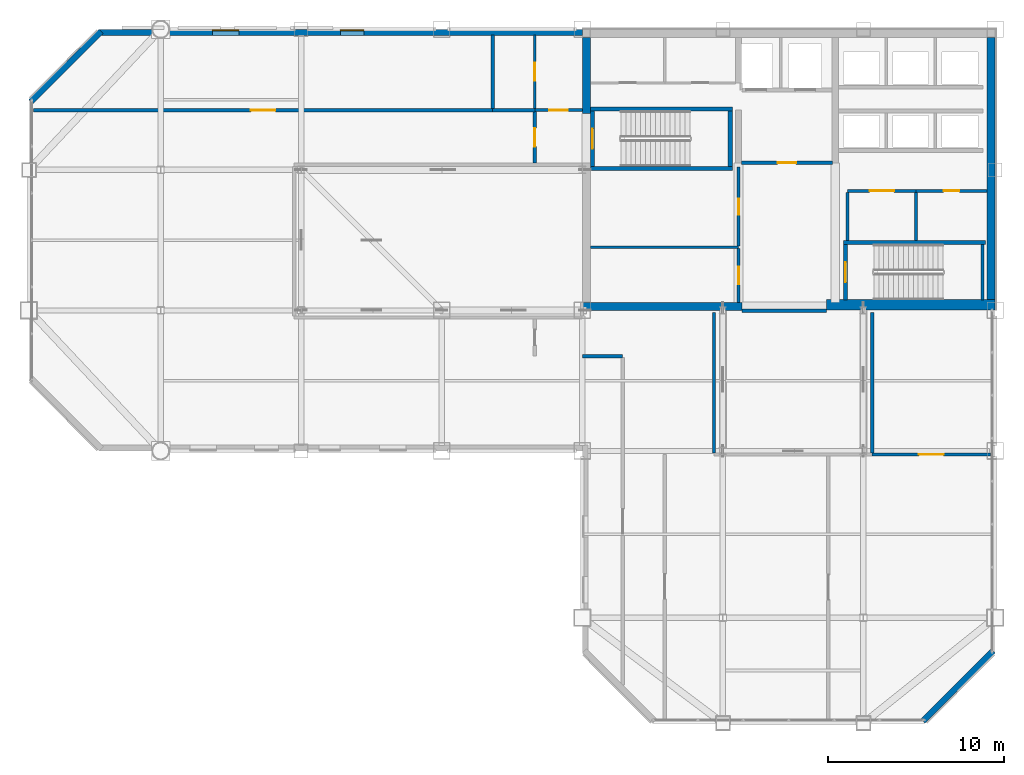
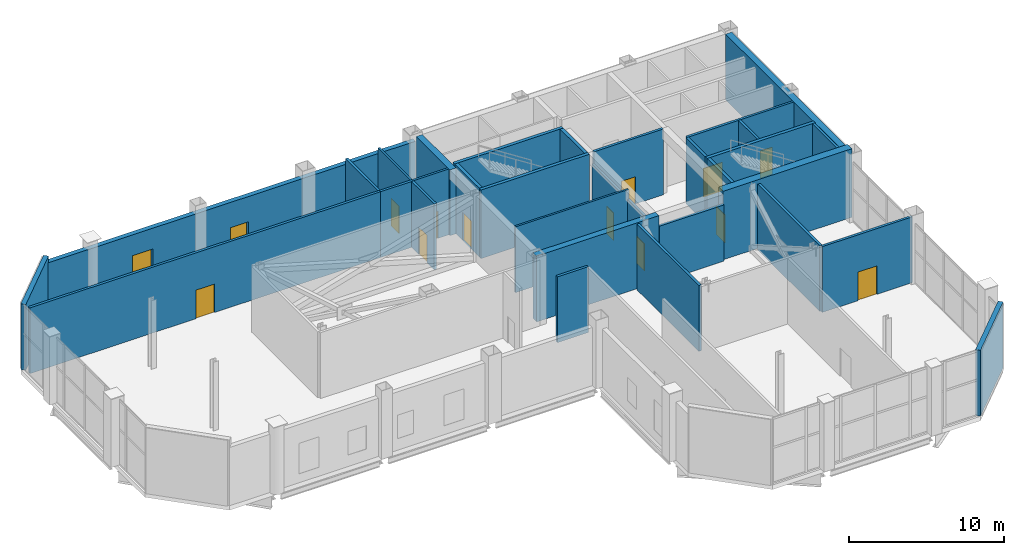
# One storey, part 18 of 23: 33 walls, 12 doors, 2 windows, 14 openings.
"""IFC4 building model written with IfcOpenShell, lengths in metres."""

from ifc_helpers import new_model, si_unit, direction, frame, frame_2d, origin, place, context, subcontext, project, spatial, rectangle, extrude, material, layer, layer_set, type_object, element, fill, save


model = new_model("IFC4")

# Units and contexts
model_context = context("Model", 3, precision=1e-05, world=origin(), true_north=direction((0.0, 1.0)))
body_context = subcontext(model_context, "Body", "Model", "MODEL_VIEW")
ifc_project = project(units=[si_unit("LENGTHUNIT", "METRE"), si_unit("AREAUNIT", "SQUARE_METRE"), si_unit("VOLUMEUNIT", "CUBIC_METRE"), si_unit("PLANEANGLEUNIT", "RADIAN"), si_unit("MASSUNIT", "GRAM", prefix="KILO")], contexts=[model_context])

# Site, building, storey
site_placement = place(None, origin())
site = spatial("IfcSite", under=ifc_project, at=site_placement, CompositionType="ELEMENT")
building_placement = place(site_placement, origin())
building = spatial("IfcBuilding", under=site, at=building_placement, Name="Qianrong Seaharbour Tower", CompositionType="ELEMENT")
storey_placement = place(building_placement, frame((0.0, 0.0, 281.800048828125)))
storey = spatial("IfcBuildingStorey", under=building, at=storey_placement, Name="L68", CompositionType="ELEMENT", Elevation=281.800048828125)

# Walls
ifc_material_1 = material(Name="Concrete C60/75", Category="concrete")
ifc_layer_1 = layer(ifc_material_1, 0.4599609375)
ifc_layer_set_1 = layer_set([ifc_layer_1], Name="Concrete C60/75")
wall_type_1 = type_object("IfcWallType", Name="WALL-CORE-460", PredefinedType="SHEAR", material=ifc_layer_set_1)
wall_1_placement = place(storey_placement, frame((63.77001953125, 36.320068359375, 0.0), z_axis=(0.0, 0.0, 1.0), x_axis=(0.0, 1.0, 0.0)))
element("IfcWall", 1, at=wall_1_placement, inside=storey, type_object=wall_type_1, Name="L68 East Core Shear Wall", PredefinedType="SHEAR", context=body_context, shape_type="SweptSolid", body=[
    extrude(rectangle(XDim=15.219970703125, YDim=0.4599609375, at=frame_2d((7.60986328125, 0.0))), origin(), (0.0, 0.0, 1.0), 5.18505859375),
])
wall_2_placement = place(storey_placement, frame((40.72998046875, 47.199951171875, 0.0), z_axis=(0.0, 0.0, 1.0), x_axis=(0.0, 1.0, 0.0)))
element("IfcWall", 2, at=wall_2_placement, inside=storey, type_object=wall_type_1, Name="L68 West Core Shear Wall North", PredefinedType="SHEAR", context=body_context, shape_type="SweptSolid", body=[
    extrude(rectangle(XDim=4.340087890625, YDim=0.4599609375, at=frame_2d((2.169921875, 0.0))), origin(), (0.0, 0.0, 1.0), 5.18505859375),
])
wall_3_placement = place(storey_placement, frame((40.5, 36.22998046875, 0.0), z_axis=(0.0, 0.0, 1.0), x_axis=(1.0, 0.0, 0.0)))
element("IfcWall", 3, at=wall_3_placement, inside=storey, type_object=wall_type_1, Name="L68 South Core Shear Wall S1", PredefinedType="SHEAR", context=body_context, shape_type="SweptSolid", body=[
    extrude(rectangle(XDim=9.10009765625, YDim=0.4599609375, at=frame_2d((4.550048828125, 0.0))), origin(), (0.0, 0.0, 1.0), 5.18505859375),
])
ifc_material_2 = material(Name="Concrete C70/85", Category="concrete")
ifc_layer_2 = layer(ifc_material_2, 0.580078125)
ifc_layer_set_2 = layer_set([ifc_layer_2], Name="Concrete C70/85")
wall_type_2 = type_object("IfcWallType", Name="WALL-CORE-580", PredefinedType="SHEAR", material=ifc_layer_set_2)
wall_4_placement = place(storey_placement, frame((54.39990234375, 36.320068359375, 0.0), z_axis=(0.0, 0.0, 1.0), x_axis=(1.0, 0.0, 0.0)))
element("IfcWall", 4, at=wall_4_placement, inside=storey, type_object=wall_type_2, Name="L68 South Core Shear Wall S3", PredefinedType="SHEAR", context=body_context, shape_type="SweptSolid", body=[
    extrude(rectangle(XDim=9.60009765625, YDim=0.580078125, at=frame_2d((4.800048828125, 0.0))), origin(), (0.0, 0.0, 1.0), 5.39990234375),
])

# Wall, opening, door
ifc_material_3 = material(Name="Fire-rated acoustic gypsum board partition")
ifc_layer_3 = layer(ifc_material_3, 0.1650390625)
ifc_layer_set_3 = layer_set([ifc_layer_3], Name="Fire-rated acoustic gypsum board partition")
wall_type_3 = type_object("IfcWallType", Name="WALL-CORR-PART-165", PredefinedType="PARTITIONING", material=ifc_layer_set_3)
wall_5_placement = place(storey_placement, frame((37.800048828125, 47.39990234375, 0.0), z_axis=(0.0, 0.0, 1.0), x_axis=(1.0, 0.0, 0.0)))
wall_5 = element("IfcWall", 5, at=wall_5_placement, inside=storey, type_object=wall_type_3, Name="L68 Interior Partition Wall 001", PredefinedType="PARTITIONING", context=body_context, shape_type="SweptSolid", body=[
    extrude(rectangle(XDim=2.699951171875, YDim=0.1650390625, at=frame_2d((1.35009765625, 0.0))), origin(), (0.0, 0.0, 1.0), 5.18505859375),
])
opening_1_placement = place(wall_5_placement, frame((0.824951171875, 0.0, 0.0)))
opening_1 = element("IfcOpeningElement", 6, at=opening_1_placement, cuts=wall_5, Name="Opening DC-01", PredefinedType="OPENING", context=body_context, shape_type="SweptSolid", body=[
    extrude(rectangle(XDim=1.050048828125, YDim=2.14990234375, at=frame_2d((0.52490234375, 1.074951171875))), frame((0.0, 0.092529296875, 0.0), z_axis=(0.0, -1.0, 0.0), x_axis=(1.0, 0.0, 0.0)), (0.0, 0.0, 1.0), 0.18505859375),
])
ifc_material_4 = material(Name="Acoustic timber and galvanized steel fire door assembly", Category="steel")
door_type_1 = type_object("IfcDoorType", Name="DOOR-CORR-FD60-1050x2150", OperationType="NOTDEFINED", PredefinedType="DOOR", material=ifc_material_4)
door_1_placement = place(opening_1_placement, origin())
door_1 = element("IfcDoor", 7, at=door_1_placement, inside=storey, type_object=door_type_1, Name="L68 Smokeproof Stair Vestibule ST-1 Door", OperationType="SINGLE_SWING_LEFT", OverallHeight=2.14990234375, OverallWidth=1.050048828125, PredefinedType="DOOR", context=body_context, shape_type="SweptSolid", body=[
    extrude(rectangle(XDim=1.050048828125, YDim=2.14990234375, at=frame_2d((0.52490234375, 1.074951171875))), frame((0.0, 0.02490234375, 0.0), z_axis=(0.0, -1.0, 0.0), x_axis=(1.0, 0.0, 0.0)), (0.0, 0.0, 1.0), 0.050048828125),
])
fill(opening_1, door_1)

wall_6_placement = place(storey_placement, frame((49.39990234375, 36.4599609375, 0.0), z_axis=(0.0, 0.0, 1.0), x_axis=(0.0, 1.0, 0.0)))
wall_6 = element("IfcWall", 8, at=wall_6_placement, inside=storey, type_object=wall_type_3, Name="L68 Interior Partition Wall 009", PredefinedType="PARTITIONING", context=body_context, shape_type="SweptSolid", body=[
    extrude(rectangle(XDim=3.075439453125, YDim=0.1650390625, at=frame_2d((1.53759765625, 0.0))), origin(), (0.0, 0.0, 1.0), 4.427001953125),
])
opening_2_placement = place(wall_6_placement, frame((1.03759765625, 0.0, 0.0)))
opening_2 = element("IfcOpeningElement", 9, at=opening_2_placement, cuts=wall_6, Name="Opening DO-01", PredefinedType="OPENING", context=body_context, shape_type="SweptSolid", body=[
    extrude(rectangle(XDim=1.0, YDim=2.14990234375, at=frame_2d((0.5, 1.074951171875))), frame((0.0, 0.092529296875, 0.0), z_axis=(0.0, -1.0, 0.0), x_axis=(1.0, 0.0, 0.0)), (0.0, 0.0, 1.0), 0.18505859375),
])
door_type_2 = type_object("IfcDoorType", Name="DOOR-OFFICE-1000x2150", OperationType="NOTDEFINED", PredefinedType="DOOR", material=ifc_material_4)
door_2_placement = place(opening_2_placement, origin())
door_2 = element("IfcDoor", 10, at=door_2_placement, inside=storey, type_object=door_type_2, Name="L68 Wellness Room Door", OperationType="SINGLE_SWING_LEFT", OverallHeight=2.14990234375, OverallWidth=1.0, PredefinedType="DOOR", context=body_context, shape_type="SweptSolid", body=[
    extrude(rectangle(XDim=1.0, YDim=2.14990234375, at=frame_2d((0.5, 1.074951171875))), frame((0.0, 0.02490234375, 0.0), z_axis=(0.0, -1.0, 0.0), x_axis=(1.0, 0.0, 0.0)), (0.0, 0.0, 1.0), 0.050048828125),
])
fill(opening_2, door_2)

wall_7_placement = place(storey_placement, frame((49.39990234375, 39.66455078125, 0.0), z_axis=(0.0, 0.0, 1.0), x_axis=(0.0, 1.0, 0.0)))
wall_7 = element("IfcWall", 11, at=wall_7_placement, inside=storey, type_object=wall_type_3, Name="L68 Interior Partition Wall 010", PredefinedType="PARTITIONING", context=body_context, shape_type="SweptSolid", body=[
    extrude(rectangle(XDim=4.4853515625, YDim=0.1650390625, at=frame_2d((2.24267578125, 0.0))), origin(), (0.0, 0.0, 1.0), 4.427001953125),
])
opening_3_placement = place(wall_7_placement, frame((1.792724609375, 0.0, 0.0)))
opening_3 = element("IfcOpeningElement", 12, at=opening_3_placement, cuts=wall_7, Name="Opening DS-01", PredefinedType="OPENING", context=body_context, shape_type="SweptSolid", body=[
    extrude(rectangle(XDim=0.89990234375, YDim=2.14990234375, at=frame_2d((0.449951171875, 1.074951171875))), frame((0.0, 0.092529296875, 0.0), z_axis=(0.0, -1.0, 0.0), x_axis=(1.0, 0.0, 0.0)), (0.0, 0.0, 1.0), 0.18505859375),
])
door_type_3 = type_object("IfcDoorType", Name="DOOR-STORE-900x2150", OperationType="NOTDEFINED", PredefinedType="DOOR", material=ifc_material_4)
door_3_placement = place(opening_3_placement, origin())
door_3 = element("IfcDoor", 13, at=door_3_placement, inside=storey, type_object=door_type_3, Name="L68 Equipment Store Room Door", OperationType="SINGLE_SWING_RIGHT", OverallHeight=2.14990234375, OverallWidth=0.89990234375, PredefinedType="DOOR", context=body_context, shape_type="SweptSolid", body=[
    extrude(rectangle(XDim=0.89990234375, YDim=2.14990234375, at=frame_2d((0.449951171875, 1.074951171875))), frame((0.0, 0.02490234375, 0.0), z_axis=(0.0, -1.0, 0.0), x_axis=(1.0, 0.0, 0.0)), (0.0, 0.0, 1.0), 0.050048828125),
])
fill(opening_3, door_3)

wall_8_placement = place(storey_placement, frame((63.5400390625, 42.800048828125, 0.0), z_axis=(0.0, 0.0, 1.0), x_axis=(-1.0, 0.0, 0.0)))
wall_8 = element("IfcWall", 14, at=wall_8_placement, inside=storey, type_object=wall_type_3, Name="L68 Interior Partition Wall 014", PredefinedType="PARTITIONING", context=body_context, shape_type="SweptSolid", body=[
    extrude(rectangle(XDim=4.0400390625, YDim=0.1650390625, at=frame_2d((2.02001953125, 0.0))), origin(), (0.0, 0.0, 1.0), 5.18505859375),
])
opening_4_placement = place(wall_8_placement, frame((1.570068359375, 0.0, 0.0)))
opening_4 = element("IfcOpeningElement", 15, at=opening_4_placement, cuts=wall_8, Name="Opening DS-01", PredefinedType="OPENING", context=body_context, shape_type="SweptSolid", body=[
    extrude(rectangle(XDim=0.89990234375, YDim=2.14990234375, at=frame_2d((0.449951171875, 1.074951171875))), frame((0.0, 0.092529296875, 0.0), z_axis=(0.0, -1.0, 0.0), x_axis=(1.0, 0.0, 0.0)), (0.0, 0.0, 1.0), 0.18505859375),
])
door_4_placement = place(opening_4_placement, origin())
door_4 = element("IfcDoor", 16, at=door_4_placement, inside=storey, type_object=door_type_3, Name="L68 Cleaner Store Room Door", OperationType="SINGLE_SWING_LEFT", OverallHeight=2.14990234375, OverallWidth=0.89990234375, PredefinedType="DOOR", context=body_context, shape_type="SweptSolid", body=[
    extrude(rectangle(XDim=0.89990234375, YDim=2.14990234375, at=frame_2d((0.449951171875, 1.074951171875))), frame((0.0, 0.02490234375, 0.0), z_axis=(0.0, -1.0, 0.0), x_axis=(1.0, 0.0, 0.0)), (0.0, 0.0, 1.0), 0.050048828125),
])
fill(opening_4, door_4)

# Wall
ifc_material_5 = material(Name="Unitised buff brick on Precast concrete C45/55", Category="masonry")
ifc_layer_4 = layer(ifc_material_5, 0.340087890625)
ifc_layer_set_4 = layer_set([ifc_layer_4], Name="Unitised buff brick on Precast concrete C45/55")
wall_type_4 = type_object("IfcWallType", Name="WALL-EXT-BRICK-BUFF-340", PredefinedType="SOLIDWALL", material=ifc_layer_set_4)
wall_9_placement = place(storey_placement, frame((9.1201171875, 47.8798828125, 0.0), z_axis=(0.0, 0.0, 1.0), x_axis=(0.707106781187, 0.707106781187, 0.0)))
element("IfcWall", 17, at=wall_9_placement, inside=storey, type_object=wall_type_4, Name="L68 Exterior Masonry Facade Wall E04", PredefinedType="SOLIDWALL", context=body_context, shape_type="SweptSolid", body=[
    extrude(rectangle(XDim=5.65673828125, YDim=0.340087890625, at=frame_2d((2.828369140625, 0.0))), origin(), (0.0, 0.0, 1.0), 5.18505859375),
])

# Wall, openings, windows
wall_10_placement = place(storey_placement, frame((13.0, 51.830078125, 0.0), z_axis=(0.0, 0.0, 1.0), x_axis=(1.0, 0.0, 0.0)))
wall_10 = element("IfcWall", 18, at=wall_10_placement, inside=storey, type_object=wall_type_4, Name="L68 Exterior Masonry Facade Wall NORTH_WING", PredefinedType="SOLIDWALL", context=body_context, shape_type="SweptSolid", body=[
    extrude(rectangle(XDim=27.52001953125, YDim=0.340087890625, at=frame_2d((13.760009765625, 0.0))), origin(), (0.0, 0.0, 1.0), 4.73486328125),
])
opening_5_placement = place(wall_10_placement, frame((6.449951171875, 0.0, 0.699951171875)))
opening_5 = element("IfcOpeningElement", 19, at=opening_5_placement, cuts=wall_10, Name="Opening WN-08", PredefinedType="OPENING", context=body_context, shape_type="SweptSolid", body=[
    extrude(rectangle(XDim=1.5, YDim=2.39990234375, at=frame_2d((0.75, 1.199951171875))), frame((0.0, 0.18017578125, 0.0), z_axis=(0.0, -1.0, 0.0), x_axis=(1.0, 0.0, 0.0)), (0.0, 0.0, 1.0), 0.360107421875),
])
opening_6_placement = place(wall_10_placement, frame((13.72509765625, 0.0, 0.89990234375)))
opening_6 = element("IfcOpeningElement", 20, at=opening_6_placement, cuts=wall_10, Name="Opening WN-02", PredefinedType="OPENING", context=body_context, shape_type="SweptSolid", body=[
    extrude(rectangle(XDim=1.35009765625, YDim=1.85009765625, at=frame_2d((0.675048828125, 0.925048828125))), frame((0.0, 0.18017578125, 0.0), z_axis=(0.0, -1.0, 0.0), x_axis=(1.0, 0.0, 0.0)), (0.0, 0.0, 1.0), 0.360107421875),
])
ifc_material_6 = material(Name="Insulated low-e double glazing in thermally broken aluminium 6063-T6 frame", Category="aluminium")
window_type_1 = type_object("IfcWindowType", Name="WIN-PUNCH-1350x1850", PartitioningType="DOUBLE_PANEL_VERTICAL", PredefinedType="WINDOW", material=ifc_material_6)
window_1_placement = place(opening_6_placement, origin())
window_1 = element("IfcWindow", 21, at=window_1_placement, inside=storey, type_object=window_type_1, Name="L68 Deep-Set Punched Window 05.04", OverallHeight=1.85009765625, OverallWidth=1.35009765625, PartitioningType="DOUBLE_PANEL_VERTICAL", PredefinedType="WINDOW", context=body_context, shape_type="SweptSolid", body=[
    extrude(rectangle(XDim=1.35009765625, YDim=1.85009765625, at=frame_2d((0.675048828125, 0.925048828125))), frame((0.0, 0.150146484375, 0.0), z_axis=(0.0, -1.0, 0.0), x_axis=(1.0, 0.0, 0.0)), (0.0, 0.0, 1.0), 0.06005859375),
])
fill(opening_6, window_1)
window_type_2 = type_object("IfcWindowType", Name="WIN-PUNCH-1500x2400", PartitioningType="DOUBLE_PANEL_HORIZONTAL", PredefinedType="WINDOW", material=ifc_material_6)
window_2_placement = place(opening_5_placement, origin())
window_2 = element("IfcWindow", 22, at=window_2_placement, inside=storey, type_object=window_type_2, Name="L68 Deep-Set Punched Window 05.02", OverallHeight=2.39990234375, OverallWidth=1.5, PartitioningType="DOUBLE_PANEL_HORIZONTAL", PredefinedType="WINDOW", context=body_context, shape_type="SweptSolid", body=[
    extrude(rectangle(XDim=1.5, YDim=2.39990234375, at=frame_2d((0.75, 1.199951171875))), frame((0.0, 0.150146484375, 0.0), z_axis=(0.0, -1.0, 0.0), x_axis=(1.0, 0.0, 0.0)), (0.0, 0.0, 1.0), 0.06005859375),
])
fill(opening_5, window_2)

# Walls
wall_11_placement = place(storey_placement, frame((63.8798828125, 16.6201171875, 0.0), z_axis=(0.0, 0.0, 1.0), x_axis=(-0.707106781187, -0.707106781187, 0.0)))
element("IfcWall", 23, at=wall_11_placement, inside=storey, type_object=wall_type_4, Name="L68 Exterior Masonry Facade Wall E07", PredefinedType="SOLIDWALL", context=body_context, shape_type="SweptSolid", body=[
    extrude(rectangle(XDim=5.65673828125, YDim=0.340087890625, at=frame_2d((2.828369140625, 0.0))), origin(), (0.0, 0.0, 1.0), 5.18505859375),
])
ifc_material_7 = material(Name="Double fire-rated gypsum board acoustic partition")
ifc_layer_5 = layer(ifc_material_7, 0.18994140625)
ifc_layer_set_5 = layer_set([ifc_layer_5], Name="Double fire-rated gypsum board acoustic partition")
wall_type_5 = type_object("IfcWallType", Name="WALL-FIRE-PART-190", PredefinedType="PARTITIONING", material=ifc_layer_set_5)
wall_12_placement = place(storey_placement, frame((49.60009765625, 35.97998046875, 0.0), z_axis=(0.0, 0.0, 1.0), x_axis=(1.0, 0.0, 0.0)))
element("IfcWall", 24, at=wall_12_placement, inside=storey, type_object=wall_type_5, Name="L68 Outrigger Truss Zone Fire Enclosure Wall N", PredefinedType="PARTITIONING", context=body_context, shape_type="SweptSolid", body=[
    extrude(rectangle(XDim=4.7998046875, YDim=0.18994140625, at=frame_2d((2.39990234375, 0.0))), origin(), (0.0, 0.0, 1.0), 4.427001953125),
])
for number, where, z_axis, x_axis, name in (
    (25, (48.0, 27.89501953125, 0.0), (0.0, 0.0, 1.0), (0.0, 1.0, 0.0), "L68 Outrigger Truss Zone Fire Enclosure Wall W"),
    (26, (57.0, 35.885009765625, 0.0), (0.0, 0.0, 1.0), (0.0, -1.0, 0.0), "L68 Outrigger Truss Zone Fire Enclosure Wall E"),
):
    element("IfcWall", number, at=place(storey_placement, frame(where, z_axis=z_axis, x_axis=x_axis)), inside=storey, type_object=wall_type_5, Name=name, PredefinedType="PARTITIONING", context=body_context, shape_type="SweptSolid", body=[
        extrude(rectangle(XDim=7.989990234375, YDim=0.18994140625, at=frame_2d((3.9951171875, 0.0))), origin(), (0.0, 0.0, 1.0), 5.18505859375),
    ])

# Wall, opening, door
wall_13_placement = place(storey_placement, frame((37.800048828125, 44.386962890625, 0.0), z_axis=(0.0, 0.0, 1.0), x_axis=(0.0, 1.0, 0.0)))
wall_13 = element("IfcWall", 27, at=wall_13_placement, inside=storey, type_object=wall_type_5, Name="L68 Interior Partition Wall 002", PredefinedType="PARTITIONING", context=body_context, shape_type="SweptSolid", body=[
    extrude(rectangle(XDim=2.926025390625, YDim=0.18994140625, at=frame_2d((1.462890625, 0.0))), origin(), (0.0, 0.0, 1.0), 5.18505859375),
])
opening_7_placement = place(wall_13_placement, frame((0.93798828125, 0.0, 0.0)))
opening_7 = element("IfcOpeningElement", 28, at=opening_7_placement, cuts=wall_13, Name="Opening DC-01", PredefinedType="OPENING", context=body_context, shape_type="SweptSolid", body=[
    extrude(rectangle(XDim=1.050048828125, YDim=2.14990234375, at=frame_2d((0.52490234375, 1.074951171875))), frame((0.0, 0.10498046875, 0.0), z_axis=(0.0, -1.0, 0.0), x_axis=(1.0, 0.0, 0.0)), (0.0, 0.0, 1.0), 0.2099609375),
])
door_5_placement = place(opening_7_placement, origin())
door_5 = element("IfcDoor", 29, at=door_5_placement, inside=storey, type_object=door_type_1, Name="L68 Smokeproof Stair Vestibule ST-1 Door", OperationType="SINGLE_SWING_RIGHT", OverallHeight=2.14990234375, OverallWidth=1.050048828125, PredefinedType="DOOR", context=body_context, shape_type="SweptSolid", body=[
    extrude(rectangle(XDim=1.050048828125, YDim=2.14990234375, at=frame_2d((0.52490234375, 1.074951171875))), frame((0.0, 0.02490234375, 0.0), z_axis=(0.0, -1.0, 0.0), x_axis=(1.0, 0.0, 0.0)), (0.0, 0.0, 1.0), 0.050048828125),
])
fill(opening_7, door_5)

# Walls
wall_14_placement = place(storey_placement, frame((37.800048828125, 47.39990234375, 0.0), z_axis=(0.0, 0.0, 1.0), x_axis=(-1.0, 0.0, 0.0)))
element("IfcWall", 30, at=wall_14_placement, inside=storey, type_object=wall_type_5, Name="L68 Interior Partition Wall 004", PredefinedType="PARTITIONING", context=body_context, shape_type="SweptSolid", body=[
    extrude(rectangle(XDim=2.400146484375, YDim=0.18994140625, at=frame_2d((1.2001953125, 0.0))), origin(), (0.0, 0.0, 1.0), 5.18505859375),
])
wall_15_placement = place(storey_placement, frame((35.39990234375, 47.487060546875, 0.0), z_axis=(0.0, 0.0, 1.0), x_axis=(0.0, 1.0, 0.0)))
element("IfcWall", 31, at=wall_15_placement, inside=storey, type_object=wall_type_5, Name="L68 Interior Partition Wall 005", PredefinedType="PARTITIONING", context=body_context, shape_type="SweptSolid", body=[
    extrude(rectangle(XDim=4.180908203125, YDim=0.18994140625, at=frame_2d((2.09033203125, 0.0))), origin(), (0.0, 0.0, 1.0), 5.18505859375),
])

# Wall, opening, door
wall_16_placement = place(storey_placement, frame((54.73291015625, 44.39990234375, 0.0), z_axis=(0.0, 0.0, 1.0), x_axis=(-1.0, 0.0, 0.0)))
wall_16 = element("IfcWall", 32, at=wall_16_placement, inside=storey, type_object=wall_type_5, Name="L68 Interior Partition Wall 008", PredefinedType="PARTITIONING", context=body_context, shape_type="SweptSolid", body=[
    extrude(rectangle(XDim=5.166015625, YDim=0.18994140625, at=frame_2d((2.5830078125, 0.0))), origin(), (0.0, 0.0, 1.0), 5.18505859375),
])
opening_8_placement = place(wall_16_placement, frame((2.05810546875, 0.0, 0.0)))
opening_8 = element("IfcOpeningElement", 33, at=opening_8_placement, cuts=wall_16, Name="Opening DC-01", PredefinedType="OPENING", context=body_context, shape_type="SweptSolid", body=[
    extrude(rectangle(XDim=1.050048828125, YDim=2.14990234375, at=frame_2d((0.52490234375, 1.074951171875))), frame((0.0, 0.10498046875, 0.0), z_axis=(0.0, -1.0, 0.0), x_axis=(1.0, 0.0, 0.0)), (0.0, 0.0, 1.0), 0.2099609375),
])
door_6_placement = place(opening_8_placement, origin())
door_6 = element("IfcDoor", 34, at=door_6_placement, inside=storey, type_object=door_type_1, Name="L68 Firefighting Lift Lobby Door", OperationType="SINGLE_SWING_LEFT", OverallHeight=2.14990234375, OverallWidth=1.050048828125, PredefinedType="DOOR", context=body_context, shape_type="SweptSolid", body=[
    extrude(rectangle(XDim=1.050048828125, YDim=2.14990234375, at=frame_2d((0.52490234375, 1.074951171875))), frame((0.0, 0.02490234375, 0.0), z_axis=(0.0, -1.0, 0.0), x_axis=(1.0, 0.0, 0.0)), (0.0, 0.0, 1.0), 0.050048828125),
])
fill(opening_8, door_6)

# Wall
wall_17_placement = place(storey_placement, frame((55.60009765625, 42.712890625, 0.0), z_axis=(0.0, 0.0, 1.0), x_axis=(0.0, -1.0, 0.0)))
element("IfcWall", 35, at=wall_17_placement, inside=storey, type_object=wall_type_5, Name="L68 Interior Partition Wall 011", PredefinedType="PARTITIONING", context=body_context, shape_type="SweptSolid", body=[
    extrude(rectangle(XDim=2.73095703125, YDim=0.18994140625, at=frame_2d((1.365478515625, 0.0))), origin(), (0.0, 0.0, 1.0), 5.18505859375),
])

# Wall, opening, door
wall_18_placement = place(storey_placement, frame((59.5, 42.800048828125, 0.0), z_axis=(0.0, 0.0, 1.0), x_axis=(-1.0, 0.0, 0.0)))
wall_18 = element("IfcWall", 36, at=wall_18_placement, inside=storey, type_object=wall_type_5, Name="L68 Interior Partition Wall 013", PredefinedType="PARTITIONING", context=body_context, shape_type="SweptSolid", body=[
    extrude(rectangle(XDim=3.89990234375, YDim=0.18994140625, at=frame_2d((1.949951171875, 0.0))), origin(), (0.0, 0.0, 1.0), 5.18505859375),
])
opening_9_placement = place(wall_18_placement, frame((1.25, 0.0, 0.0)))
opening_9 = element("IfcOpeningElement", 37, at=opening_9_placement, cuts=wall_18, Name="Opening DP-01", PredefinedType="OPENING", context=body_context, shape_type="SweptSolid", body=[
    extrude(rectangle(XDim=1.39990234375, YDim=2.25, at=frame_2d((0.699951171875, 1.125))), frame((0.0, 0.10498046875, 0.0), z_axis=(0.0, -1.0, 0.0), x_axis=(1.0, 0.0, 0.0)), (0.0, 0.0, 1.0), 0.2099609375),
])
door_type_4 = type_object("IfcDoorType", Name="DOOR-PLANT-PAIR-1400x2250", OperationType="DOUBLE_DOOR_SINGLE_SWING", PredefinedType="DOOR", material=ifc_material_4)
door_7_placement = place(opening_9_placement, origin())
door_7 = element("IfcDoor", 38, at=door_7_placement, inside=storey, type_object=door_type_4, Name="L68 Electrical Substation Door", OperationType="DOUBLE_DOOR_SINGLE_SWING", OverallHeight=2.25, OverallWidth=1.39990234375, PredefinedType="DOOR", context=body_context, shape_type="SweptSolid", body=[
    extrude(rectangle(XDim=1.39990234375, YDim=2.25, at=frame_2d((0.699951171875, 1.125))), frame((0.0, 0.02490234375, 0.0), z_axis=(0.0, -1.0, 0.0), x_axis=(1.0, 0.0, 0.0)), (0.0, 0.0, 1.0), 0.050048828125),
])
fill(opening_9, door_7)

# Wall
wall_19_placement = place(storey_placement, frame((59.5, 42.712890625, 0.0), z_axis=(0.0, 0.0, 1.0), x_axis=(0.0, -1.0, 0.0)))
element("IfcWall", 39, at=wall_19_placement, inside=storey, type_object=wall_type_5, Name="L68 Interior Partition Wall 016", PredefinedType="PARTITIONING", context=body_context, shape_type="SweptSolid", body=[
    extrude(rectangle(XDim=2.73095703125, YDim=0.18994140625, at=frame_2d((1.365478515625, 0.0))), origin(), (0.0, 0.0, 1.0), 5.18505859375),
])

# Wall, opening, door
wall_20_placement = place(storey_placement, frame((9.27197265625, 47.39990234375, 0.0), z_axis=(0.0, 0.0, 1.0), x_axis=(1.0, 0.0, 0.0)))
wall_20 = element("IfcWall", 40, at=wall_20_placement, inside=storey, type_object=wall_type_5, Name="L68 Interior Partition Wall 018", PredefinedType="PARTITIONING", context=body_context, shape_type="SweptSolid", body=[
    extrude(rectangle(XDim=26.1279296875, YDim=0.18994140625, at=frame_2d((13.06396484375, 0.0))), origin(), (0.0, 0.0, 1.0), 5.18505859375),
])
opening_10_placement = place(wall_20_placement, frame((12.364013671875, 0.0, 0.0)))
opening_10 = element("IfcOpeningElement", 41, at=opening_10_placement, cuts=wall_20, Name="Opening DP-01", PredefinedType="OPENING", context=body_context, shape_type="SweptSolid", body=[
    extrude(rectangle(XDim=1.39990234375, YDim=2.25, at=frame_2d((0.699951171875, 1.125))), frame((0.0, 0.10498046875, 0.0), z_axis=(0.0, -1.0, 0.0), x_axis=(1.0, 0.0, 0.0)), (0.0, 0.0, 1.0), 0.2099609375),
])
door_8_placement = place(opening_10_placement, origin())
door_8 = element("IfcDoor", 42, at=door_8_placement, inside=storey, type_object=door_type_4, Name="L68 Chiller Plant Room Door", OperationType="DOUBLE_DOOR_SINGLE_SWING", OverallHeight=2.25, OverallWidth=1.39990234375, PredefinedType="DOOR", context=body_context, shape_type="SweptSolid", body=[
    extrude(rectangle(XDim=1.39990234375, YDim=2.25, at=frame_2d((0.699951171875, 1.125))), frame((0.0, 0.02490234375, 0.0), z_axis=(0.0, -1.0, 0.0), x_axis=(1.0, 0.0, 0.0)), (0.0, 0.0, 1.0), 0.050048828125),
])
fill(opening_10, door_8)

# Wall
wall_21_placement = place(storey_placement, frame((42.800048828125, 33.39990234375, 0.0), z_axis=(0.0, 0.0, 1.0), x_axis=(-1.0, 0.0, 0.0)))
element("IfcWall", 43, at=wall_21_placement, inside=storey, type_object=wall_type_5, Name="L68 Interior Partition Wall 019", PredefinedType="PARTITIONING", context=body_context, shape_type="SweptSolid", body=[
    extrude(rectangle(XDim=2.300048828125, YDim=0.18994140625, at=frame_2d((1.14990234375, 0.0))), origin(), (0.0, 0.0, 1.0), 5.18505859375),
])

# Wall, opening, door
wall_22_placement = place(storey_placement, frame((57.0, 27.800048828125, 0.0), z_axis=(0.0, 0.0, 1.0), x_axis=(1.0, 0.0, 0.0)))
wall_22 = element("IfcWall", 44, at=wall_22_placement, inside=storey, type_object=wall_type_5, Name="L68 Interior Partition Wall 023", PredefinedType="PARTITIONING", context=body_context, shape_type="SweptSolid", body=[
    extrude(rectangle(XDim=6.72802734375, YDim=0.18994140625, at=frame_2d((3.364013671875, 0.0))), origin(), (0.0, 0.0, 1.0), 5.18505859375),
])
opening_11_placement = place(wall_22_placement, frame((2.6640625, 0.0, 0.0)))
opening_11 = element("IfcOpeningElement", 45, at=opening_11_placement, cuts=wall_22, Name="Opening DP-01", PredefinedType="OPENING", context=body_context, shape_type="SweptSolid", body=[
    extrude(rectangle(XDim=1.39990234375, YDim=2.25, at=frame_2d((0.699951171875, 1.125))), frame((0.0, 0.10498046875, 0.0), z_axis=(0.0, -1.0, 0.0), x_axis=(1.0, 0.0, 0.0)), (0.0, 0.0, 1.0), 0.2099609375),
])
door_9_placement = place(opening_11_placement, origin())
door_9 = element("IfcDoor", 46, at=door_9_placement, inside=storey, type_object=door_type_4, Name="L68 Mechanical Plant Room Door", OperationType="DOUBLE_DOOR_SINGLE_SWING", OverallHeight=2.25, OverallWidth=1.39990234375, PredefinedType="DOOR", context=body_context, shape_type="SweptSolid", body=[
    extrude(rectangle(XDim=1.39990234375, YDim=2.25, at=frame_2d((0.699951171875, 1.125))), frame((0.0, 0.02490234375, 0.0), z_axis=(0.0, -1.0, 0.0), x_axis=(1.0, 0.0, 0.0)), (0.0, 0.0, 1.0), 0.050048828125),
])
fill(opening_11, door_9)

# Walls
ifc_material_8 = material(Name="Acoustic gypsum board stud partition")
ifc_layer_6 = layer(ifc_material_8, 0.14501953125)
ifc_layer_set_6 = layer_set([ifc_layer_6], Name="Acoustic gypsum board stud partition")
wall_type_6 = type_object("IfcWallType", Name="WALL-OFFICE-PART-145", PredefinedType="PARTITIONING", material=ifc_layer_set_6)
wall_23_placement = place(storey_placement, frame((40.9599609375, 39.60009765625, 0.0), z_axis=(0.0, 0.0, 1.0), x_axis=(1.0, 0.0, 0.0)))
element("IfcWall", 47, at=wall_23_placement, inside=storey, type_object=wall_type_6, Name="L68 Interior Partition Wall 012", PredefinedType="PARTITIONING", context=body_context, shape_type="SweptSolid", body=[
    extrude(rectangle(XDim=8.43994140625, YDim=0.14501953125, at=frame_2d((4.219970703125, 0.0))), origin(), (0.0, 0.0, 1.0), 5.18505859375),
])
ifc_material_9 = material(Name="Concrete C50/60", Category="concrete")
ifc_layer_7 = layer(ifc_material_9, 0.239990234375)
ifc_layer_set_7 = layer_set([ifc_layer_7], Name="Concrete C50/60")
wall_type_7 = type_object("IfcWallType", Name="WALL-SHAFT-RC240", PredefinedType="SOLIDWALL", material=ifc_layer_set_7)
for number, where, z_axis, x_axis, name in (
    (48, (40.9599609375, 47.469970703125, 0.0), (0.0, 0.0, 1.0), (1.0, 0.0, 0.0), "L68 ST-1 Structural Stair Core Wall N"),
    (49, (49.0400390625, 44.080078125, 0.0), (0.0, 0.0, 1.0), (-1.0, 0.0, 0.0), "L68 ST-1 Structural Stair Core Wall S"),
):
    element("IfcWall", number, at=place(storey_placement, frame(where, z_axis=z_axis, x_axis=x_axis)), inside=storey, type_object=wall_type_7, Name=name, PredefinedType="SOLIDWALL", context=body_context, shape_type="SweptSolid", body=[
        extrude(rectangle(XDim=8.080078125, YDim=0.239990234375, at=frame_2d((4.0400390625, 0.0))), origin(), (0.0, 0.0, 1.0), 5.39990234375),
    ])

# Wall, opening, door
wall_24_placement = place(storey_placement, frame((41.080078125, 47.35009765625, 0.0), z_axis=(0.0, 0.0, 1.0), x_axis=(0.0, -1.0, 0.0)))
wall_24 = element("IfcWall", 50, at=wall_24_placement, inside=storey, type_object=wall_type_7, Name="L68 ST-1 Structural Stair Core Wall W", PredefinedType="SOLIDWALL", context=body_context, shape_type="SweptSolid", body=[
    extrude(rectangle(XDim=3.150146484375, YDim=0.239990234375, at=frame_2d((1.5751953125, 0.0))), origin(), (0.0, 0.0, 1.0), 5.39990234375),
])
opening_12_placement = place(wall_24_placement, frame((1.0, 0.0, 0.0)))
opening_12 = element("IfcOpeningElement", 51, at=opening_12_placement, cuts=wall_24, Name="Opening SD-01", PredefinedType="OPENING", context=body_context, shape_type="SweptSolid", body=[
    extrude(rectangle(XDim=1.14990234375, YDim=2.199951171875, at=frame_2d((0.574951171875, 1.10009765625))), frame((0.0, 0.1298828125, 0.0), z_axis=(0.0, -1.0, 0.0), x_axis=(1.0, 0.0, 0.0)), (0.0, 0.0, 1.0), 0.260009765625),
])
door_type_5 = type_object("IfcDoorType", Name="DOOR-STAIR-FD60-1150x2200", OperationType="NOTDEFINED", PredefinedType="DOOR", material=ifc_material_4)
door_10_placement = place(opening_12_placement, origin())
door_10 = element("IfcDoor", 52, at=door_10_placement, inside=storey, type_object=door_type_5, Name="L68 ST-1 Protected Stair Door", OperationType="SINGLE_SWING_LEFT", OverallHeight=2.199951171875, OverallWidth=1.14990234375, PredefinedType="DOOR", context=body_context, shape_type="SweptSolid", body=[
    extrude(rectangle(XDim=1.14990234375, YDim=2.199951171875, at=frame_2d((0.574951171875, 1.10009765625))), frame((0.0, 0.02490234375, 0.0), z_axis=(0.0, -1.0, 0.0), x_axis=(1.0, 0.0, 0.0)), (0.0, 0.0, 1.0), 0.050048828125),
])
fill(opening_12, door_10)

# Walls
wall_25_placement = place(storey_placement, frame((48.919921875, 44.199951171875, 0.0), z_axis=(0.0, 0.0, 1.0), x_axis=(0.0, 1.0, 0.0)))
element("IfcWall", 53, at=wall_25_placement, inside=storey, type_object=wall_type_7, Name="L68 ST-1 Structural Stair Core Wall E", PredefinedType="SOLIDWALL", context=body_context, shape_type="SweptSolid", body=[
    extrude(rectangle(XDim=3.150146484375, YDim=0.239990234375, at=frame_2d((1.5751953125, 0.0))), origin(), (0.0, 0.0, 1.0), 5.39990234375),
])
wall_26_placement = place(storey_placement, frame((55.360107421875, 39.8701171875, 0.0), z_axis=(0.0, 0.0, 1.0), x_axis=(1.0, 0.0, 0.0)))
element("IfcWall", 54, at=wall_26_placement, inside=storey, type_object=wall_type_7, Name="L68 ST-2 Structural Stair Core Wall N", PredefinedType="SOLIDWALL", context=body_context, shape_type="SweptSolid", body=[
    extrude(rectangle(XDim=8.079833984375, YDim=0.239990234375, at=frame_2d((4.0400390625, 0.0))), origin(), (0.0, 0.0, 1.0), 5.39990234375),
])

# Wall, opening, door
wall_27_placement = place(storey_placement, frame((55.47998046875, 39.75, 0.0), z_axis=(0.0, 0.0, 1.0), x_axis=(0.0, -1.0, 0.0)))
wall_27 = element("IfcWall", 55, at=wall_27_placement, inside=storey, type_object=wall_type_7, Name="L68 ST-2 Structural Stair Core Wall W", PredefinedType="SOLIDWALL", context=body_context, shape_type="SweptSolid", body=[
    extrude(rectangle(XDim=3.14990234375, YDim=0.239990234375, at=frame_2d((1.574951171875, 0.0))), origin(), (0.0, 0.0, 1.0), 5.39990234375),
])
opening_13_placement = place(wall_27_placement, frame((1.0, 0.0, 0.0)))
opening_13 = element("IfcOpeningElement", 56, at=opening_13_placement, cuts=wall_27, Name="Opening SD-01", PredefinedType="OPENING", context=body_context, shape_type="SweptSolid", body=[
    extrude(rectangle(XDim=1.14990234375, YDim=2.199951171875, at=frame_2d((0.574951171875, 1.10009765625))), frame((0.0, 0.1298828125, 0.0), z_axis=(0.0, -1.0, 0.0), x_axis=(1.0, 0.0, 0.0)), (0.0, 0.0, 1.0), 0.260009765625),
])
door_11_placement = place(opening_13_placement, origin())
door_11 = element("IfcDoor", 57, at=door_11_placement, inside=storey, type_object=door_type_5, Name="L68 ST-2 Protected Stair Door", OperationType="SINGLE_SWING_LEFT", OverallHeight=2.199951171875, OverallWidth=1.14990234375, PredefinedType="DOOR", context=body_context, shape_type="SweptSolid", body=[
    extrude(rectangle(XDim=1.14990234375, YDim=2.199951171875, at=frame_2d((0.574951171875, 1.10009765625))), frame((0.0, 0.02490234375, 0.0), z_axis=(0.0, -1.0, 0.0), x_axis=(1.0, 0.0, 0.0)), (0.0, 0.0, 1.0), 0.050048828125),
])
fill(opening_13, door_11)

# Wall
wall_28_placement = place(storey_placement, frame((63.2900390625, 36.60009765625, 0.0), z_axis=(0.0, 0.0, 1.0), x_axis=(0.0, 1.0, 0.0)))
element("IfcWall", 58, at=wall_28_placement, inside=storey, type_object=wall_type_7, Name="L68 ST-2 Structural Stair Core Wall E", PredefinedType="SOLIDWALL", context=body_context, shape_type="SweptSolid", body=[
    extrude(rectangle(XDim=3.14990234375, YDim=0.179931640625, at=frame_2d((1.574951171875, 0.0))), origin(), (0.0, 0.0, 1.0), 5.39990234375),
])

# Wall, opening, door
ifc_material_10 = material(Name="Water-resistant cement board sanitary partition")
ifc_layer_8 = layer(ifc_material_10, 0.1298828125)
ifc_layer_set_8 = layer_set([ifc_layer_8], Name="Water-resistant cement board sanitary partition")
wall_type_8 = type_object("IfcWallType", Name="WALL-WET-PART-130", PredefinedType="PARTITIONING", material=ifc_layer_set_8)
wall_29_placement = place(storey_placement, frame((37.800048828125, 47.487060546875, 0.0), z_axis=(0.0, 0.0, 1.0), x_axis=(0.0, 1.0, 0.0)))
wall_29 = element("IfcWall", 59, at=wall_29_placement, inside=storey, type_object=wall_type_8, Name="L68 Interior Partition Wall 003", PredefinedType="PARTITIONING", context=body_context, shape_type="SweptSolid", body=[
    extrude(rectangle(XDim=4.180908203125, YDim=0.1298828125, at=frame_2d((2.09033203125, 0.0))), origin(), (0.0, 0.0, 1.0), 5.18505859375),
])
opening_14_placement = place(wall_29_placement, frame((1.58056640625, 0.0, 0.0)))
opening_14 = element("IfcOpeningElement", 60, at=opening_14_placement, cuts=wall_29, Name="Opening DAW-01", PredefinedType="OPENING", context=body_context, shape_type="SweptSolid", body=[
    extrude(rectangle(XDim=1.02001953125, YDim=2.14990234375, at=frame_2d((0.510009765625, 1.074951171875))), frame((0.0, 0.074951171875, 0.0), z_axis=(0.0, -1.0, 0.0), x_axis=(1.0, 0.0, 0.0)), (0.0, 0.0, 1.0), 0.14990234375),
])
door_type_6 = type_object("IfcDoorType", Name="DOOR-AWC-SLIDE-1020x2150", OperationType="SLIDING_TO_LEFT", PredefinedType="DOOR", material=ifc_material_4)
door_12_placement = place(opening_14_placement, origin())
door_12 = element("IfcDoor", 61, at=door_12_placement, inside=storey, type_object=door_type_6, Name="L68 Accessible Restroom WC Door", OperationType="SLIDING_TO_LEFT", OverallHeight=2.14990234375, OverallWidth=1.02001953125, PredefinedType="DOOR", context=body_context, shape_type="SweptSolid", body=[
    extrude(rectangle(XDim=1.02001953125, YDim=2.14990234375, at=frame_2d((0.510009765625, 1.074951171875))), frame((0.0, 0.02490234375, 0.0), z_axis=(0.0, -1.0, 0.0), x_axis=(1.0, 0.0, 0.0)), (0.0, 0.0, 1.0), 0.050048828125),
])
fill(opening_14, door_12)

save(model, "model.ifc")
